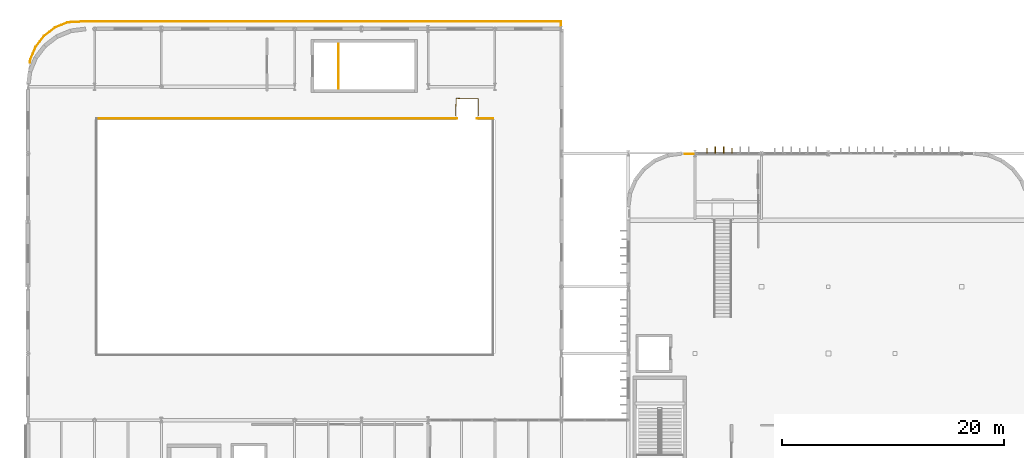
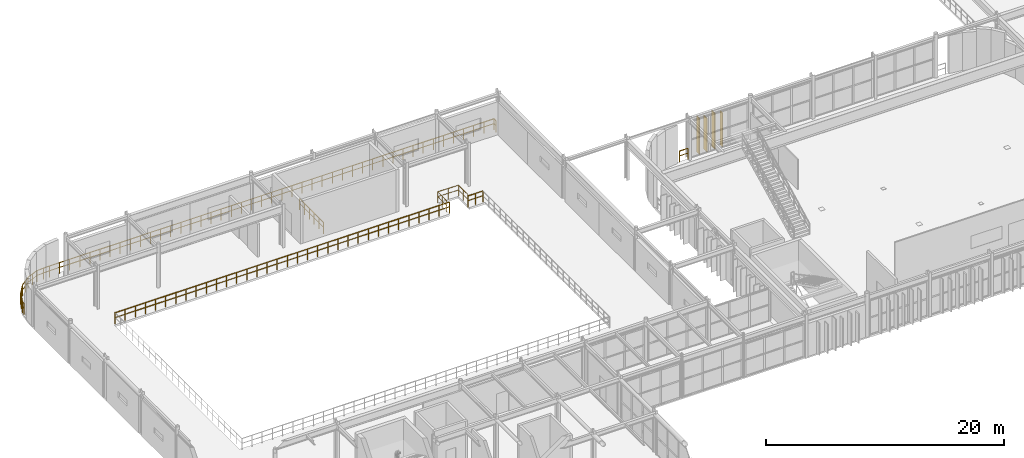
# One storey, part 78 of 84: 6 railings, 4 coverings.
"""IFC4 building model written with IfcOpenShell, lengths in metres."""

import ifcopenshell
import ifcopenshell.guid

model = None  # the IFC model being written
_history = None  # IfcOwnerHistory: only IFC2X3 demands one
_inside = {}  # id of a spatial element -> (the spatial element, [elements in it])
_under = {}  # id of a project, library or spatial element -> (it, [spatial elements below it])
_declared = {}  # id of a project -> (the project, [libraries it declares])
_typed = {}  # id of a type object -> (the type object, [elements of that type])
_made_of = {}  # id of a material, layer set ... -> (it, [elements and type objects made of it])


def new_model(schema):
    """Start an empty IFC model of exactly this schema.

    Asked for "IFC4X3", IfcOpenShell would pick the latest addendum, in which some entities
    have other attributes; the version numbers below select the first issue.
    IFC2X3 requires an IfcOwnerHistory on every rooted entity: one is made here for all.
    """
    global model, _history
    if schema == "IFC4X3":
        model = ifcopenshell.file(schema_version=(4, 3, 0, 0))
    else:
        model = ifcopenshell.file(schema=schema)
    _inside.clear()
    _under.clear()
    _declared.clear()
    _typed.clear()
    _made_of.clear()
    _history = None
    if model.schema == "IFC2X3":
        org = make("IfcOrganization", Name="unknown")
        user = make(
            "IfcPersonAndOrganization",
            ThePerson=make("IfcPerson", FamilyName="unknown"),
            TheOrganization=org,
        )
        app = make(
            "IfcApplication",
            ApplicationDeveloper=org,
            Version="unknown",
            ApplicationFullName="unknown",
            ApplicationIdentifier="unknown",
        )
        _history = make(
            "IfcOwnerHistory",
            OwningUser=user,
            OwningApplication=app,
            ChangeAction="ADDED",
            CreationDate=0,
        )
    return model


def make(cls, **values):
    """One entity of the class cls with the attributes given. An attribute that is None is left unset."""
    return model.create_entity(
        cls, **{name: value for name, value in values.items() if value is not None}
    )


def rooted(cls, **values):
    """An entity with a GlobalId (a new one), such as an element, a storey or a relation."""
    return make(cls, GlobalId=ifcopenshell.guid.new(), OwnerHistory=_history, **values)


def si_unit(unit_type, name, prefix=None):
    """IfcSIUnit, for example si_unit("LENGTHUNIT", "METRE", prefix="MILLI")."""
    return make("IfcSIUnit", UnitType=unit_type, Prefix=prefix, Name=name)


def assignment(units):
    """IfcUnitAssignment: the units of a project."""
    return None if units is None else make("IfcUnitAssignment", Units=units)


def point(xyz):
    """IfcCartesianPoint."""
    return None if xyz is None else make("IfcCartesianPoint", Coordinates=xyz)


def direction(xyz):
    """IfcDirection."""
    return None if xyz is None else make("IfcDirection", DirectionRatios=xyz)


def frame(location, z_axis=None, x_axis=None):
    """IfcAxis2Placement3D, a coordinate frame: its origin and axes. An axis left out is left unset."""
    return make(
        "IfcAxis2Placement3D",
        Location=point(location),
        Axis=direction(z_axis),
        RefDirection=direction(x_axis),
    )


def frame_2d(location, x_axis=None):
    """IfcAxis2Placement2D, a coordinate frame in the plane: its origin and x axis."""
    return make(
        "IfcAxis2Placement2D", Location=point(location), RefDirection=direction(x_axis)
    )


def origin():
    """The frame at (0, 0, 0) with its axes left unset."""
    return frame((0.0, 0.0, 0.0))


def origin_2d():
    """The frame at (0, 0) in the plane with its x axis left unset."""
    return frame_2d((0.0, 0.0))


def place(relative_to, where):
    """IfcLocalPlacement: puts the frame where relative to a parent placement (None: the world)."""
    return make(
        "IfcLocalPlacement", PlacementRelTo=relative_to, RelativePlacement=where
    )


def context(
    kind, dimensions, precision=None, world=None, true_north=None, identifier=None
):
    """IfcGeometricRepresentationContext, for example the 3D "Model" context."""
    return make(
        "IfcGeometricRepresentationContext",
        ContextIdentifier=identifier,
        ContextType=kind,
        CoordinateSpaceDimension=dimensions,
        Precision=precision,
        WorldCoordinateSystem=world,
        TrueNorth=true_north,
    )


def subcontext(parent, identifier, kind, view, scale=None):
    """IfcGeometricRepresentationSubContext, for example "Body" below "Model"."""
    return make(
        "IfcGeometricRepresentationSubContext",
        ContextIdentifier=identifier,
        ContextType=kind,
        ParentContext=parent,
        TargetScale=scale,
        TargetView=view,
    )


def project(units=None, contexts=None):
    """IfcProject with its units and contexts."""
    return rooted(
        "IfcProject",
        Name="project",
        RepresentationContexts=contexts,
        UnitsInContext=assignment(units),
    )


def spatial(cls, under=None, at=None, **own):
    """A site, building, storey or space (cls), placed at a placement, below another one or the project."""
    s = rooted(cls, ObjectPlacement=at, **own)
    if under is not None:
        _under.setdefault(under.id(), (under, []))[1].append(s)
    return s


def profile(cls, at=None, kind="AREA", **sizes):
    """A parametric profile (cls). Its sizes go by their IFC names, for example OverallWidth=200.0."""
    return make(cls, ProfileType=kind, Position=at, **sizes)


def rectangle(**sizes):
    """IfcRectangleProfileDef."""
    return profile("IfcRectangleProfileDef", **sizes)


def circle(**sizes):
    """IfcCircleProfileDef."""
    return profile("IfcCircleProfileDef", **sizes)


def extrude(swept, where, along, depth):
    """IfcExtrudedAreaSolid: the profile swept, set in the frame where, extruded along a direction by depth."""
    return make(
        "IfcExtrudedAreaSolid",
        SweptArea=swept,
        Position=where,
        ExtrudedDirection=direction(along),
        Depth=depth,
    )


def shape(context_of_items, identifier, shape_type, items):
    """IfcShapeRepresentation: the items that make up one representation, for example the "Body"."""
    return make(
        "IfcShapeRepresentation",
        ContextOfItems=context_of_items,
        RepresentationIdentifier=identifier,
        RepresentationType=shape_type,
        Items=items,
    )


def material(Name=None, Category=None):
    """IfcMaterial."""
    return make("IfcMaterial", Name=Name, Category=Category)


def layer(
    of_material, thickness, ventilated=None, Name=None, Category=None, Priority=None
):
    """IfcMaterialLayer: one layer of a wall or slab, of a material (None: an air gap)."""
    return make(
        "IfcMaterialLayer",
        Material=of_material,
        LayerThickness=thickness,
        IsVentilated=ventilated,
        Name=Name,
        Category=Category,
        Priority=Priority,
    )


def layer_set(layers, Name=None):
    """IfcMaterialLayerSet."""
    return make("IfcMaterialLayerSet", MaterialLayers=layers, LayerSetName=Name)


def made_of(thing, what):
    """Note that an element or type object is made of a material, layer set ...; save() writes the relation."""
    if what is not None:
        _made_of.setdefault(what.id(), (what, []))[1].append(thing)
    return thing


def type_object(cls, material=None, **own):
    """A type object (cls), such as IfcWallType, which elements share."""
    return made_of(rooted(cls, **own), material)


def element(
    cls,
    number,
    at=None,
    inside=None,
    cuts=None,
    type_object=None,
    material=None,
    context=None,
    identifier="Body",
    shape_type=None,
    held_by="IfcProductDefinitionShape",
    body=None,
    shapes=None,
    **own,
):
    """One element of the class cls, such as IfcWall. Its Tag is "e" and its number.

    at: its placement. inside: the storey or other place that contains it. cuts: it is an
    opening in that element (IfcRelVoidsElement). A single representation is given by context,
    identifier, shape_type and body (its items); several are given by shapes. held_by: the class
    of the entity that holds the representations. save() writes the other relations.
    """
    e = rooted(cls, Tag="e%d" % number, ObjectPlacement=at, **own)
    if body is not None:
        shapes = [shape(context, identifier, shape_type, body)]
    if shapes is not None:
        e.Representation = make(held_by, Representations=shapes)
    if inside is not None:
        _inside.setdefault(inside.id(), (inside, []))[1].append(e)
    if cuts is not None:
        rooted(
            "IfcRelVoidsElement", RelatingBuildingElement=cuts, RelatedOpeningElement=e
        )
    if type_object is not None:
        _typed.setdefault(type_object.id(), (type_object, []))[1].append(e)
    return made_of(e, material)


def aggregate(whole, parts):
    """IfcRelAggregates: a whole, such as a stair, and the parts it consists of."""
    return rooted("IfcRelAggregates", RelatingObject=whole, RelatedObjects=parts)


def save(model, path):
    """Write the relations noted so far, then the file.

    IfcRelAggregates (storeys below a building ...), IfcRelContainedInSpatialStructure (elements
    in a storey), IfcRelDefinesByType, IfcRelAssociatesMaterial and IfcRelDeclares: one each for
    every whole, place, type object, material and project.
    """
    for whole, parts in _under.values():
        aggregate(whole, parts)
    for where, things in _inside.values():
        rooted(
            "IfcRelContainedInSpatialStructure",
            RelatedElements=things,
            RelatingStructure=where,
        )
    for kind, things in _typed.values():
        rooted("IfcRelDefinesByType", RelatedObjects=things, RelatingType=kind)
    for what, things in _made_of.values():
        rooted("IfcRelAssociatesMaterial", RelatedObjects=things, RelatingMaterial=what)
    for by, libraries in _declared.values():
        rooted("IfcRelDeclares", RelatingContext=by, RelatedDefinitions=libraries)
    model.write(path)


model = new_model("IFC4")

# Units and contexts
model_context = context("Model", 3, precision=1e-05, world=origin(), true_north=direction((0.0, 1.0)))
body_context = subcontext(model_context, "Body", "Model", "MODEL_VIEW")
ifc_project = project(units=[si_unit("LENGTHUNIT", "METRE"), si_unit("AREAUNIT", "SQUARE_METRE"), si_unit("VOLUMEUNIT", "CUBIC_METRE"), si_unit("PLANEANGLEUNIT", "RADIAN"), si_unit("MASSUNIT", "GRAM", prefix="KILO")], contexts=[model_context])

# Site, building, storey
site_placement = place(None, origin())
site = spatial("IfcSite", under=ifc_project, at=site_placement, CompositionType="ELEMENT")
building_placement = place(site_placement, origin())
building = spatial("IfcBuilding", under=site, at=building_placement, Name="Varnakota Square Police Headquarters", CompositionType="ELEMENT")
storey_placement = place(building_placement, frame((0.0, 0.0, 13.5)))
storey = spatial("IfcBuildingStorey", under=building, at=storey_placement, Name="L03", CompositionType="ELEMENT", Elevation=13.5)

# Coverings
ifc_material_1 = material(Name="White Anodised Aluminium Vertical Facade Blade 420", Category="aluminium")
ifc_layer_1 = layer(ifc_material_1, 0.0849609375, Name="White Anodised Aluminium Vertical Facade Blade 420")
ifc_layer_set_1 = layer_set([ifc_layer_1], Name="White Anodised Aluminium Vertical Facade Blade 420")
covering_type_1 = type_object("IfcCoveringType", Name="COV-FIN-420", PredefinedType="CLADDING", material=ifc_layer_set_1)
covering_1_placement = place(storey_placement, frame((67.0859375, 99.237548828125, 0.0400390625), z_axis=(0.0, 0.0, 1.0), x_axis=(1.0, 0.0, 0.0)))
element("IfcCovering", 1, at=covering_1_placement, inside=storey, type_object=covering_type_1, Name="Vertical aluminium facade fin FIN-1318", PredefinedType="CLADDING", context=body_context, shape_type="SweptSolid", body=[
    extrude(rectangle(XDim=0.0849609375, YDim=0.419921875, at=origin_2d()), origin(), (0.0, 0.0, 1.0), 3.7099609375),
])
covering_2_placement = place(storey_placement, frame((69.3359375, 99.237548828125, 0.0400390625), z_axis=(0.0, 0.0, 1.0), x_axis=(1.0, 0.0, 0.0)))
element("IfcCovering", 2, at=covering_2_placement, inside=storey, type_object=covering_type_1, Name="Vertical aluminium facade fin FIN-1321", PredefinedType="CLADDING", context=body_context, shape_type="SweptSolid", body=[
    extrude(rectangle(XDim=0.0849609375, YDim=0.419921875, at=origin_2d()), origin(), (0.0, 0.0, 1.0), 3.429931640625),
])
ifc_material_2 = material(Name="White Anodised Aluminium Vertical Facade Blade 550", Category="aluminium")
ifc_layer_2 = layer(ifc_material_2, 0.0849609375, Name="White Anodised Aluminium Vertical Facade Blade 550")
ifc_layer_set_2 = layer_set([ifc_layer_2], Name="White Anodised Aluminium Vertical Facade Blade 550")
covering_type_2 = type_object("IfcCoveringType", Name="COV-FIN-550", PredefinedType="CLADDING", material=ifc_layer_set_2)
covering_3_placement = place(storey_placement, frame((67.8359375, 99.302490234375, 0.0400390625), z_axis=(0.0, 0.0, 1.0), x_axis=(1.0, 0.0, 0.0)))
element("IfcCovering", 3, at=covering_3_placement, inside=storey, type_object=covering_type_2, Name="Vertical aluminium facade fin FIN-1319", PredefinedType="CLADDING", context=body_context, shape_type="SweptSolid", body=[
    extrude(rectangle(XDim=0.0849609375, YDim=0.550048828125, at=origin_2d()), origin(), (0.0, 0.0, 1.0), 3.429931640625),
])
covering_4_placement = place(storey_placement, frame((68.5859375, 99.302490234375, 0.0400390625), z_axis=(0.0, 0.0, 1.0), x_axis=(1.0, 0.0, 0.0)))
element("IfcCovering", 4, at=covering_4_placement, inside=storey, type_object=covering_type_2, Name="Vertical aluminium facade fin FIN-1320", PredefinedType="CLADDING", context=body_context, shape_type="SweptSolid", body=[
    extrude(rectangle(XDim=0.0849609375, YDim=0.550048828125, at=origin_2d()), origin(), (0.0, 0.0, 1.0), 3.7099609375),
])

# Railings
ifc_material_3 = material(Name="Galvanised Powder-Coated Steel Guardrail", Category="steel")
railing_type_1 = type_object("IfcRailingType", Name="RL-BAL-1150", PredefinedType="BALUSTRADE", material=ifc_material_3)
railing_1_placement = place(storey_placement, frame((65.095703125, 98.949951171875, 0.0)))
element("IfcRailing", 5, at=railing_1_placement, inside=storey, type_object=railing_type_1, Name="Perimeter edge safety guard GD-AUTO-L03-072", PredefinedType="BALUSTRADE", context=body_context, shape_type="SweptSolid", body=[
    extrude(circle(Radius=0.02392578125, at=origin_2d()), frame((0.0, 0.0, 1.1259765625), z_axis=(1.0, 0.0, 0.0), x_axis=(0.0, 1.0, 0.0)), (0.0, 0.0, 1.0), 0.7998046875),
    extrude(circle(Radius=0.01806640625, at=origin_2d()), frame((0.0, 0.0, 0.63232421875), z_axis=(1.0, 0.0, 0.0), x_axis=(0.0, 1.0, 0.0)), (0.0, 0.0, 1.0), 0.7998046875),
    extrude(circle(Radius=0.02099609375, at=origin_2d()), origin(), (0.0, 0.0, 1.0), 1.101806640625),
    extrude(circle(Radius=0.02099609375, at=origin_2d()), frame((0.7998046875, 0.0, 0.0)), (0.0, 0.0, 1.0), 1.101806640625),
])
railing_2_placement = place(storey_placement, frame((6.17578125, 107.15283203125, 0.0)))
element("IfcRailing", 6, at=railing_2_placement, inside=storey, type_object=railing_type_1, Name="Perimeter edge safety guard GD-AUTO-L03-077", PredefinedType="BALUSTRADE", context=body_context, shape_type="SweptSolid", body=[
    extrude(circle(Radius=0.02392578125, at=origin_2d()), frame((0.0, 0.0, 1.1259765625), z_axis=(0.131360598818, 0.991334652415, 0.0), x_axis=(-0.991334652415, 0.131360598818, 0.0)), (0.0, 0.0, 1.0), 0.27880859375),
    extrude(circle(Radius=0.01806640625, at=origin_2d()), frame((0.0, 0.0, 0.63232421875), z_axis=(0.131360598818, 0.991334652415, 0.0), x_axis=(-0.991334652415, 0.131360598818, 0.0)), (0.0, 0.0, 1.0), 0.27880859375),
    extrude(circle(Radius=0.02392578125, at=origin_2d()), frame((0.03662109375, 0.2763671875, 1.1259765625), z_axis=(0.38260106809, 0.92391364461, 0.0), x_axis=(-0.92391364461, 0.38260106809, 0.0)), (0.0, 0.0, 1.0), 1.23974609375),
    extrude(circle(Radius=0.01806640625, at=origin_2d()), frame((0.03662109375, 0.2763671875, 0.63232421875), z_axis=(0.38260106809, 0.92391364461, 0.0), x_axis=(-0.92391364461, 0.38260106809, 0.0)), (0.0, 0.0, 1.0), 1.23974609375),
    extrude(circle(Radius=0.02392578125, at=origin_2d()), frame((0.510986328125, 1.421875, 1.1259765625), z_axis=(0.608815903339, 0.793311537696, 0.0), x_axis=(-0.793311537696, 0.608815903339, 0.0)), (0.0, 0.0, 1.0), 1.239990234375),
    extrude(circle(Radius=0.01806640625, at=origin_2d()), frame((0.510986328125, 1.421875, 0.63232421875), z_axis=(0.608815903339, 0.793311537696, 0.0), x_axis=(-0.793311537696, 0.608815903339, 0.0)), (0.0, 0.0, 1.0), 1.239990234375),
    extrude(circle(Radius=0.02392578125, at=origin_2d()), frame((1.265869140625, 2.405517578125, 1.1259765625), z_axis=(0.793311537696, 0.608815903339, 0.0), x_axis=(-0.608815903339, 0.793311537696, 0.0)), (0.0, 0.0, 1.0), 1.239990234375),
    extrude(circle(Radius=0.01806640625, at=origin_2d()), frame((1.265869140625, 2.405517578125, 0.63232421875), z_axis=(0.793311537696, 0.608815903339, 0.0), x_axis=(-0.608815903339, 0.793311537696, 0.0)), (0.0, 0.0, 1.0), 1.239990234375),
    extrude(circle(Radius=0.02392578125, at=origin_2d()), frame((2.24951171875, 3.160400390625, 1.1259765625), z_axis=(0.92391364461, 0.38260106809, 0.0), x_axis=(-0.38260106809, 0.92391364461, 0.0)), (0.0, 0.0, 1.0), 1.23974609375),
    extrude(circle(Radius=0.01806640625, at=origin_2d()), frame((2.24951171875, 3.160400390625, 0.63232421875), z_axis=(0.92391364461, 0.38260106809, 0.0), x_axis=(-0.38260106809, 0.92391364461, 0.0)), (0.0, 0.0, 1.0), 1.23974609375),
    extrude(circle(Radius=0.02392578125, at=origin_2d()), frame((3.39501953125, 3.634765625, 1.1259765625), z_axis=(0.99871656307, 0.05064806659, 0.0), x_axis=(-0.05064806659, 0.99871656307, 0.0)), (0.0, 0.0, 1.0), 1.23388671875),
    extrude(circle(Radius=0.01806640625, at=origin_2d()), frame((3.39501953125, 3.634765625, 0.63232421875), z_axis=(0.99871656307, 0.05064806659, 0.0), x_axis=(-0.05064806659, 0.99871656307, 0.0)), (0.0, 0.0, 1.0), 1.23388671875),
    extrude(circle(Radius=0.02392578125, at=origin_2d()), frame((4.62744140625, 3.697265625, 1.1259765625), z_axis=(1.0, 0.0, 0.0), x_axis=(0.0, 1.0, 0.0)), (0.0, 0.0, 1.0), 43.146728515625),
    extrude(circle(Radius=0.01806640625, at=origin_2d()), frame((4.62744140625, 3.697265625, 0.63232421875), z_axis=(1.0, 0.0, 0.0), x_axis=(0.0, 1.0, 0.0)), (0.0, 0.0, 1.0), 43.146728515625),
    extrude(circle(Radius=0.02392578125, at=origin_2d()), frame((47.774169921875, 3.697265625, 1.1259765625), z_axis=(0.0, -1.0, 0.0), x_axis=(1.0, 0.0, 0.0)), (0.0, 0.0, 1.0), 0.371337890625),
    extrude(circle(Radius=0.01806640625, at=origin_2d()), frame((47.774169921875, 3.697265625, 0.63232421875), z_axis=(0.0, -1.0, 0.0), x_axis=(1.0, 0.0, 0.0)), (0.0, 0.0, 1.0), 0.371337890625),
    extrude(circle(Radius=0.02099609375, at=origin_2d()), origin(), (0.0, 0.0, 1.0), 1.101806640625),
    extrude(circle(Radius=0.02099609375, at=origin_2d()), frame((0.03662109375, 0.2763671875, 0.0)), (0.0, 0.0, 1.0), 1.101806640625),
    extrude(circle(Radius=0.02099609375, at=origin_2d()), frame((0.27392578125, 0.84912109375, 0.0)), (0.0, 0.0, 1.0), 1.101806640625),
    extrude(circle(Radius=0.02099609375, at=origin_2d()), frame((0.510986328125, 1.421875, 0.0)), (0.0, 0.0, 1.0), 1.101806640625),
    extrude(circle(Radius=0.02099609375, at=origin_2d()), frame((0.888427734375, 1.91357421875, 0.0)), (0.0, 0.0, 1.0), 1.101806640625),
    extrude(circle(Radius=0.02099609375, at=origin_2d()), frame((1.265869140625, 2.405517578125, 0.0)), (0.0, 0.0, 1.0), 1.101806640625),
    extrude(circle(Radius=0.02099609375, at=origin_2d()), frame((1.7578125, 2.782958984375, 0.0)), (0.0, 0.0, 1.0), 1.101806640625),
    extrude(circle(Radius=0.02099609375, at=origin_2d()), frame((2.24951171875, 3.160400390625, 0.0)), (0.0, 0.0, 1.0), 1.101806640625),
    extrude(circle(Radius=0.02099609375, at=origin_2d()), frame((2.822265625, 3.3974609375, 0.0)), (0.0, 0.0, 1.0), 1.101806640625),
    extrude(circle(Radius=0.02099609375, at=origin_2d()), frame((3.39501953125, 3.634765625, 0.0)), (0.0, 0.0, 1.0), 1.101806640625),
    extrude(circle(Radius=0.02099609375, at=origin_2d()), frame((4.01123046875, 3.666015625, 0.0)), (0.0, 0.0, 1.0), 1.101806640625),
    extrude(circle(Radius=0.02099609375, at=origin_2d()), frame((4.62744140625, 3.697265625, 0.0)), (0.0, 0.0, 1.0), 1.101806640625),
    extrude(circle(Radius=0.02099609375, at=origin_2d()), frame((5.608154296875, 3.697265625, 0.0)), (0.0, 0.0, 1.0), 1.101806640625),
    extrude(circle(Radius=0.02099609375, at=origin_2d()), frame((6.588623046875, 3.697265625, 0.0)), (0.0, 0.0, 1.0), 1.101806640625),
    extrude(circle(Radius=0.02099609375, at=origin_2d()), frame((7.5693359375, 3.697265625, 0.0)), (0.0, 0.0, 1.0), 1.101806640625),
    extrude(circle(Radius=0.02099609375, at=origin_2d()), frame((8.5498046875, 3.697265625, 0.0)), (0.0, 0.0, 1.0), 1.101806640625),
    extrude(circle(Radius=0.02099609375, at=origin_2d()), frame((9.530517578125, 3.697265625, 0.0)), (0.0, 0.0, 1.0), 1.101806640625),
    extrude(circle(Radius=0.02099609375, at=origin_2d()), frame((10.510986328125, 3.697265625, 0.0)), (0.0, 0.0, 1.0), 1.101806640625),
    extrude(circle(Radius=0.02099609375, at=origin_2d()), frame((11.49169921875, 3.697265625, 0.0)), (0.0, 0.0, 1.0), 1.101806640625),
    extrude(circle(Radius=0.02099609375, at=origin_2d()), frame((12.472412109375, 3.697265625, 0.0)), (0.0, 0.0, 1.0), 1.101806640625),
    extrude(circle(Radius=0.02099609375, at=origin_2d()), frame((13.452880859375, 3.697265625, 0.0)), (0.0, 0.0, 1.0), 1.101806640625),
    extrude(circle(Radius=0.02099609375, at=origin_2d()), frame((14.43359375, 3.697265625, 0.0)), (0.0, 0.0, 1.0), 1.101806640625),
    extrude(circle(Radius=0.02099609375, at=origin_2d()), frame((15.4140625, 3.697265625, 0.0)), (0.0, 0.0, 1.0), 1.101806640625),
    extrude(circle(Radius=0.02099609375, at=origin_2d()), frame((16.394775390625, 3.697265625, 0.0)), (0.0, 0.0, 1.0), 1.101806640625),
    extrude(circle(Radius=0.02099609375, at=origin_2d()), frame((17.375244140625, 3.697265625, 0.0)), (0.0, 0.0, 1.0), 1.101806640625),
    extrude(circle(Radius=0.02099609375, at=origin_2d()), frame((18.35595703125, 3.697265625, 0.0)), (0.0, 0.0, 1.0), 1.101806640625),
    extrude(circle(Radius=0.02099609375, at=origin_2d()), frame((19.336669921875, 3.697265625, 0.0)), (0.0, 0.0, 1.0), 1.101806640625),
    extrude(circle(Radius=0.02099609375, at=origin_2d()), frame((20.317138671875, 3.697265625, 0.0)), (0.0, 0.0, 1.0), 1.101806640625),
    extrude(circle(Radius=0.02099609375, at=origin_2d()), frame((21.2978515625, 3.697265625, 0.0)), (0.0, 0.0, 1.0), 1.101806640625),
    extrude(circle(Radius=0.02099609375, at=origin_2d()), frame((22.2783203125, 3.697265625, 0.0)), (0.0, 0.0, 1.0), 1.101806640625),
    extrude(circle(Radius=0.02099609375, at=origin_2d()), frame((23.259033203125, 3.697265625, 0.0)), (0.0, 0.0, 1.0), 1.101806640625),
    extrude(circle(Radius=0.02099609375, at=origin_2d()), frame((24.239501953125, 3.697265625, 0.0)), (0.0, 0.0, 1.0), 1.101806640625),
    extrude(circle(Radius=0.02099609375, at=origin_2d()), frame((25.22021484375, 3.697265625, 0.0)), (0.0, 0.0, 1.0), 1.101806640625),
    extrude(circle(Radius=0.02099609375, at=origin_2d()), frame((26.20068359375, 3.697265625, 0.0)), (0.0, 0.0, 1.0), 1.101806640625),
    extrude(circle(Radius=0.02099609375, at=origin_2d()), frame((27.181396484375, 3.697265625, 0.0)), (0.0, 0.0, 1.0), 1.101806640625),
    extrude(circle(Radius=0.02099609375, at=origin_2d()), frame((28.162109375, 3.697265625, 0.0)), (0.0, 0.0, 1.0), 1.101806640625),
    extrude(circle(Radius=0.02099609375, at=origin_2d()), frame((29.142578125, 3.697265625, 0.0)), (0.0, 0.0, 1.0), 1.101806640625),
    extrude(circle(Radius=0.02099609375, at=origin_2d()), frame((30.123291015625, 3.697265625, 0.0)), (0.0, 0.0, 1.0), 1.101806640625),
    extrude(circle(Radius=0.02099609375, at=origin_2d()), frame((31.103759765625, 3.697265625, 0.0)), (0.0, 0.0, 1.0), 1.101806640625),
    extrude(circle(Radius=0.02099609375, at=origin_2d()), frame((32.08447265625, 3.697265625, 0.0)), (0.0, 0.0, 1.0), 1.101806640625),
    extrude(circle(Radius=0.02099609375, at=origin_2d()), frame((33.06494140625, 3.697265625, 0.0)), (0.0, 0.0, 1.0), 1.101806640625),
    extrude(circle(Radius=0.02099609375, at=origin_2d()), frame((34.045654296875, 3.697265625, 0.0)), (0.0, 0.0, 1.0), 1.101806640625),
    extrude(circle(Radius=0.02099609375, at=origin_2d()), frame((35.0263671875, 3.697265625, 0.0)), (0.0, 0.0, 1.0), 1.101806640625),
    extrude(circle(Radius=0.02099609375, at=origin_2d()), frame((36.0068359375, 3.697265625, 0.0)), (0.0, 0.0, 1.0), 1.101806640625),
    extrude(circle(Radius=0.02099609375, at=origin_2d()), frame((36.987548828125, 3.697265625, 0.0)), (0.0, 0.0, 1.0), 1.101806640625),
    extrude(circle(Radius=0.02099609375, at=origin_2d()), frame((37.968017578125, 3.697265625, 0.0)), (0.0, 0.0, 1.0), 1.101806640625),
    extrude(circle(Radius=0.02099609375, at=origin_2d()), frame((38.94873046875, 3.697265625, 0.0)), (0.0, 0.0, 1.0), 1.101806640625),
    extrude(circle(Radius=0.02099609375, at=origin_2d()), frame((39.92919921875, 3.697265625, 0.0)), (0.0, 0.0, 1.0), 1.101806640625),
    extrude(circle(Radius=0.02099609375, at=origin_2d()), frame((40.909912109375, 3.697265625, 0.0)), (0.0, 0.0, 1.0), 1.101806640625),
    extrude(circle(Radius=0.02099609375, at=origin_2d()), frame((41.890625, 3.697265625, 0.0)), (0.0, 0.0, 1.0), 1.101806640625),
    extrude(circle(Radius=0.02099609375, at=origin_2d()), frame((42.87109375, 3.697265625, 0.0)), (0.0, 0.0, 1.0), 1.101806640625),
    extrude(circle(Radius=0.02099609375, at=origin_2d()), frame((43.851806640625, 3.697265625, 0.0)), (0.0, 0.0, 1.0), 1.101806640625),
    extrude(circle(Radius=0.02099609375, at=origin_2d()), frame((44.832275390625, 3.697265625, 0.0)), (0.0, 0.0, 1.0), 1.101806640625),
    extrude(circle(Radius=0.02099609375, at=origin_2d()), frame((45.81298828125, 3.697265625, 0.0)), (0.0, 0.0, 1.0), 1.101806640625),
    extrude(circle(Radius=0.02099609375, at=origin_2d()), frame((46.79345703125, 3.697265625, 0.0)), (0.0, 0.0, 1.0), 1.101806640625),
    extrude(circle(Radius=0.02099609375, at=origin_2d()), frame((47.774169921875, 3.697265625, 0.0)), (0.0, 0.0, 1.0), 1.101806640625),
    extrude(circle(Radius=0.02099609375, at=origin_2d()), frame((47.774169921875, 3.325927734375, 0.0)), (0.0, 0.0, 1.0), 1.101806640625),
])
railing_3_placement = place(storey_placement, frame((46.5048828125, 102.389892578125, 0.0)))
element("IfcRailing", 7, at=railing_3_placement, inside=storey, type_object=railing_type_1, Name="Perimeter edge safety guard GD-AUTO-L03-078", PredefinedType="BALUSTRADE", context=body_context, shape_type="SweptSolid", body=[
    extrude(circle(Radius=0.02392578125, at=origin_2d()), frame((0.0, 0.0, 1.1259765625), z_axis=(0.0, 1.0, 0.0), x_axis=(-1.0, 0.0, 0.0)), (0.0, 0.0, 1.0), 1.51513671875),
    extrude(circle(Radius=0.01806640625, at=origin_2d()), frame((0.0, 0.0, 0.63232421875), z_axis=(0.0, 1.0, 0.0), x_axis=(-1.0, 0.0, 0.0)), (0.0, 0.0, 1.0), 1.51513671875),
    extrude(circle(Radius=0.02392578125, at=origin_2d()), frame((0.0, 1.51513671875, 1.1259765625), z_axis=(-0.999812502872, 0.019363860683, 0.0), x_axis=(-0.019363860683, -0.999812502872, 0.0)), (0.0, 0.0, 1.0), 1.9921875),
    extrude(circle(Radius=0.01806640625, at=origin_2d()), frame((0.0, 1.51513671875, 0.63232421875), z_axis=(-0.999812502872, 0.019363860683, 0.0), x_axis=(-0.019363860683, -0.999812502872, 0.0)), (0.0, 0.0, 1.0), 1.9921875),
    extrude(circle(Radius=0.02392578125, at=origin_2d()), frame((-1.99169921875, 1.5537109375, 1.1259765625), z_axis=(-0.011627120962, -0.999932402744, 0.0), x_axis=(0.999932402744, -0.011627120962, 0.0)), (0.0, 0.0, 1.0), 1.5537109375),
    extrude(circle(Radius=0.01806640625, at=origin_2d()), frame((-1.99169921875, 1.5537109375, 0.63232421875), z_axis=(-0.011627120962, -0.999932402744, 0.0), x_axis=(0.999932402744, -0.011627120962, 0.0)), (0.0, 0.0, 1.0), 1.5537109375),
    extrude(circle(Radius=0.02099609375, at=origin_2d()), origin(), (0.0, 0.0, 1.0), 1.101806640625),
    extrude(circle(Radius=0.02099609375, at=origin_2d()), frame((0.0, 0.757568359375, 0.0)), (0.0, 0.0, 1.0), 1.101806640625),
    extrude(circle(Radius=0.02099609375, at=origin_2d()), frame((0.0, 1.51513671875, 0.0)), (0.0, 0.0, 1.0), 1.101806640625),
    extrude(circle(Radius=0.02099609375, at=origin_2d()), frame((-0.995849609375, 1.534423828125, 0.0)), (0.0, 0.0, 1.0), 1.101806640625),
    extrude(circle(Radius=0.02099609375, at=origin_2d()), frame((-1.99169921875, 1.5537109375, 0.0)), (0.0, 0.0, 1.0), 1.101806640625),
    extrude(circle(Radius=0.02099609375, at=origin_2d()), frame((-2.000732421875, 0.77685546875, 0.0)), (0.0, 0.0, 1.0), 1.101806640625),
    extrude(circle(Radius=0.02099609375, at=origin_2d()), frame((-2.009765625, 0.0, 0.0)), (0.0, 0.0, 1.0), 1.101806640625),
])
ifc_material_4 = material(Name="Laminated Glass and Stainless Steel Balustrade", Category="steel")
railing_type_2 = type_object("IfcRailingType", Name="RL-INT-1150", PredefinedType="BALUSTRADE", material=ifc_material_4)
railing_4_placement = place(storey_placement, frame((33.949951171875, 104.840087890625, 0.0)))
element("IfcRailing", 8, at=railing_4_placement, inside=storey, type_object=railing_type_2, Name="Stair well safety guard C7 L03", PredefinedType="BALUSTRADE", context=body_context, shape_type="SweptSolid", body=[
    extrude(circle(Radius=0.02392578125, at=origin_2d()), frame((0.0, 0.0, 1.1259765625), z_axis=(0.0, 1.0, 0.0), x_axis=(-1.0, 0.0, 0.0)), (0.0, 0.0, 1.0), 4.02001953125),
    extrude(circle(Radius=0.01806640625, at=origin_2d()), frame((0.0, 0.0, 0.63232421875), z_axis=(0.0, 1.0, 0.0), x_axis=(-1.0, 0.0, 0.0)), (0.0, 0.0, 1.0), 4.02001953125),
    extrude(circle(Radius=0.02099609375, at=origin_2d()), origin(), (0.0, 0.0, 1.0), 1.101806640625),
    extrude(circle(Radius=0.02099609375, at=origin_2d()), frame((0.0, 0.803955078125, 0.0)), (0.0, 0.0, 1.0), 1.101806640625),
    extrude(circle(Radius=0.02099609375, at=origin_2d()), frame((0.0, 1.60791015625, 0.0)), (0.0, 0.0, 1.0), 1.101806640625),
    extrude(circle(Radius=0.02099609375, at=origin_2d()), frame((0.0, 2.412109375, 0.0)), (0.0, 0.0, 1.0), 1.101806640625),
    extrude(circle(Radius=0.02099609375, at=origin_2d()), frame((0.0, 3.216064453125, 0.0)), (0.0, 0.0, 1.0), 1.101806640625),
    extrude(circle(Radius=0.02099609375, at=origin_2d()), frame((0.0, 4.02001953125, 0.0)), (0.0, 0.0, 1.0), 1.101806640625),
])
railing_5_placement = place(storey_placement, frame((47.85009765625, 102.14990234375, 0.0)))
element("IfcRailing", 9, at=railing_5_placement, inside=storey, type_object=railing_type_2, Name="Gymnasium upper gallery balustrade", PredefinedType="BALUSTRADE", context=body_context, shape_type="SweptSolid", body=[
    extrude(circle(Radius=0.02392578125, at=origin_2d()), frame((0.0, 0.0, 1.1259765625), z_axis=(-1.0, 0.0, 0.0), x_axis=(0.0, -1.0, 0.0)), (0.0, 0.0, 1.0), 1.4501953125),
    extrude(circle(Radius=0.01806640625, at=origin_2d()), frame((0.0, 0.0, 0.63232421875), z_axis=(-1.0, 0.0, 0.0), x_axis=(0.0, -1.0, 0.0)), (0.0, 0.0, 1.0), 1.4501953125),
    extrude(circle(Radius=0.02099609375, at=origin_2d()), origin(), (0.0, 0.0, 1.0), 1.101806640625),
    extrude(circle(Radius=0.02099609375, at=origin_2d()), frame((-0.72509765625, 0.0, 0.0)), (0.0, 0.0, 1.0), 1.101806640625),
    extrude(circle(Radius=0.02099609375, at=origin_2d()), frame((-1.4501953125, 0.0, 0.0)), (0.0, 0.0, 1.0), 1.101806640625),
])
railing_6_placement = place(storey_placement, frame((44.60009765625, 102.14990234375, 0.0)))
element("IfcRailing", 10, at=railing_6_placement, inside=storey, type_object=railing_type_2, Name="Gymnasium upper gallery balustrade", PredefinedType="BALUSTRADE", context=body_context, shape_type="SweptSolid", body=[
    extrude(circle(Radius=0.02392578125, at=origin_2d()), frame((0.0, 0.0, 1.1259765625), z_axis=(-1.0, 0.0, 0.0), x_axis=(0.0, -1.0, 0.0)), (0.0, 0.0, 1.0), 32.4501953125),
    extrude(circle(Radius=0.01806640625, at=origin_2d()), frame((0.0, 0.0, 0.63232421875), z_axis=(-1.0, 0.0, 0.0), x_axis=(0.0, -1.0, 0.0)), (0.0, 0.0, 1.0), 32.4501953125),
    extrude(circle(Radius=0.02099609375, at=origin_2d()), origin(), (0.0, 0.0, 1.0), 1.101806640625),
    extrude(circle(Radius=0.02099609375, at=origin_2d()), frame((-0.9833984375, 0.0, 0.0)), (0.0, 0.0, 1.0), 1.101806640625),
    extrude(circle(Radius=0.02099609375, at=origin_2d()), frame((-1.966796875, 0.0, 0.0)), (0.0, 0.0, 1.0), 1.101806640625),
    extrude(circle(Radius=0.02099609375, at=origin_2d()), frame((-2.949951171875, 0.0, 0.0)), (0.0, 0.0, 1.0), 1.101806640625),
    extrude(circle(Radius=0.02099609375, at=origin_2d()), frame((-3.933349609375, 0.0, 0.0)), (0.0, 0.0, 1.0), 1.101806640625),
    extrude(circle(Radius=0.02099609375, at=origin_2d()), frame((-4.916748046875, 0.0, 0.0)), (0.0, 0.0, 1.0), 1.101806640625),
    extrude(circle(Radius=0.02099609375, at=origin_2d()), frame((-5.900146484375, 0.0, 0.0)), (0.0, 0.0, 1.0), 1.101806640625),
    extrude(circle(Radius=0.02099609375, at=origin_2d()), frame((-6.88330078125, 0.0, 0.0)), (0.0, 0.0, 1.0), 1.101806640625),
    extrude(circle(Radius=0.02099609375, at=origin_2d()), frame((-7.86669921875, 0.0, 0.0)), (0.0, 0.0, 1.0), 1.101806640625),
    extrude(circle(Radius=0.02099609375, at=origin_2d()), frame((-8.85009765625, 0.0, 0.0)), (0.0, 0.0, 1.0), 1.101806640625),
    extrude(circle(Radius=0.02099609375, at=origin_2d()), frame((-9.83349609375, 0.0, 0.0)), (0.0, 0.0, 1.0), 1.101806640625),
    extrude(circle(Radius=0.02099609375, at=origin_2d()), frame((-10.816650390625, 0.0, 0.0)), (0.0, 0.0, 1.0), 1.101806640625),
    extrude(circle(Radius=0.02099609375, at=origin_2d()), frame((-11.800048828125, 0.0, 0.0)), (0.0, 0.0, 1.0), 1.101806640625),
    extrude(circle(Radius=0.02099609375, at=origin_2d()), frame((-12.783447265625, 0.0, 0.0)), (0.0, 0.0, 1.0), 1.101806640625),
    extrude(circle(Radius=0.02099609375, at=origin_2d()), frame((-13.766845703125, 0.0, 0.0)), (0.0, 0.0, 1.0), 1.101806640625),
    extrude(circle(Radius=0.02099609375, at=origin_2d()), frame((-14.75, 0.0, 0.0)), (0.0, 0.0, 1.0), 1.101806640625),
    extrude(circle(Radius=0.02099609375, at=origin_2d()), frame((-15.7333984375, 0.0, 0.0)), (0.0, 0.0, 1.0), 1.101806640625),
    extrude(circle(Radius=0.02099609375, at=origin_2d()), frame((-16.716796875, 0.0, 0.0)), (0.0, 0.0, 1.0), 1.101806640625),
    extrude(circle(Radius=0.02099609375, at=origin_2d()), frame((-17.7001953125, 0.0, 0.0)), (0.0, 0.0, 1.0), 1.101806640625),
    extrude(circle(Radius=0.02099609375, at=origin_2d()), frame((-18.683349609375, 0.0, 0.0)), (0.0, 0.0, 1.0), 1.101806640625),
    extrude(circle(Radius=0.02099609375, at=origin_2d()), frame((-19.666748046875, 0.0, 0.0)), (0.0, 0.0, 1.0), 1.101806640625),
    extrude(circle(Radius=0.02099609375, at=origin_2d()), frame((-20.650146484375, 0.0, 0.0)), (0.0, 0.0, 1.0), 1.101806640625),
    extrude(circle(Radius=0.02099609375, at=origin_2d()), frame((-21.633544921875, 0.0, 0.0)), (0.0, 0.0, 1.0), 1.101806640625),
    extrude(circle(Radius=0.02099609375, at=origin_2d()), frame((-22.61669921875, 0.0, 0.0)), (0.0, 0.0, 1.0), 1.101806640625),
    extrude(circle(Radius=0.02099609375, at=origin_2d()), frame((-23.60009765625, 0.0, 0.0)), (0.0, 0.0, 1.0), 1.101806640625),
    extrude(circle(Radius=0.02099609375, at=origin_2d()), frame((-24.58349609375, 0.0, 0.0)), (0.0, 0.0, 1.0), 1.101806640625),
    extrude(circle(Radius=0.02099609375, at=origin_2d()), frame((-25.56689453125, 0.0, 0.0)), (0.0, 0.0, 1.0), 1.101806640625),
    extrude(circle(Radius=0.02099609375, at=origin_2d()), frame((-26.550048828125, 0.0, 0.0)), (0.0, 0.0, 1.0), 1.101806640625),
    extrude(circle(Radius=0.02099609375, at=origin_2d()), frame((-27.533447265625, 0.0, 0.0)), (0.0, 0.0, 1.0), 1.101806640625),
    extrude(circle(Radius=0.02099609375, at=origin_2d()), frame((-28.516845703125, 0.0, 0.0)), (0.0, 0.0, 1.0), 1.101806640625),
    extrude(circle(Radius=0.02099609375, at=origin_2d()), frame((-29.500244140625, 0.0, 0.0)), (0.0, 0.0, 1.0), 1.101806640625),
    extrude(circle(Radius=0.02099609375, at=origin_2d()), frame((-30.4833984375, 0.0, 0.0)), (0.0, 0.0, 1.0), 1.101806640625),
    extrude(circle(Radius=0.02099609375, at=origin_2d()), frame((-31.466796875, 0.0, 0.0)), (0.0, 0.0, 1.0), 1.101806640625),
    extrude(circle(Radius=0.02099609375, at=origin_2d()), frame((-32.4501953125, 0.0, 0.0)), (0.0, 0.0, 1.0), 1.101806640625),
])

save(model, "model.ifc")
